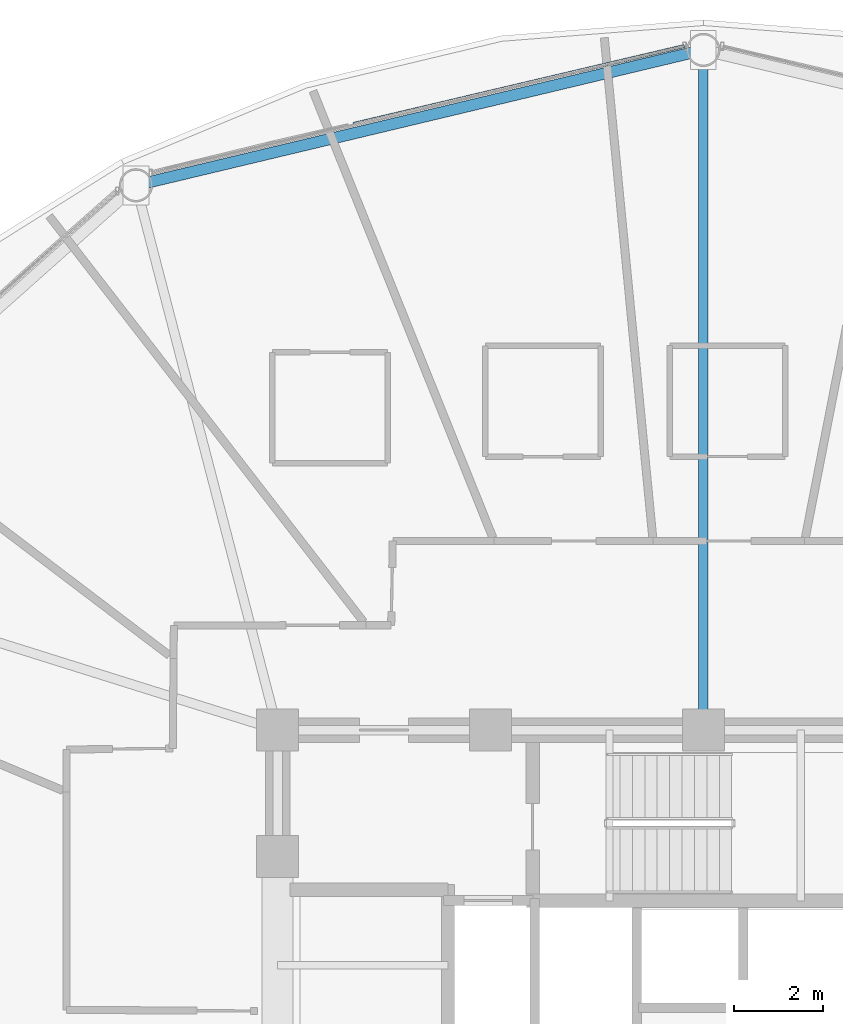
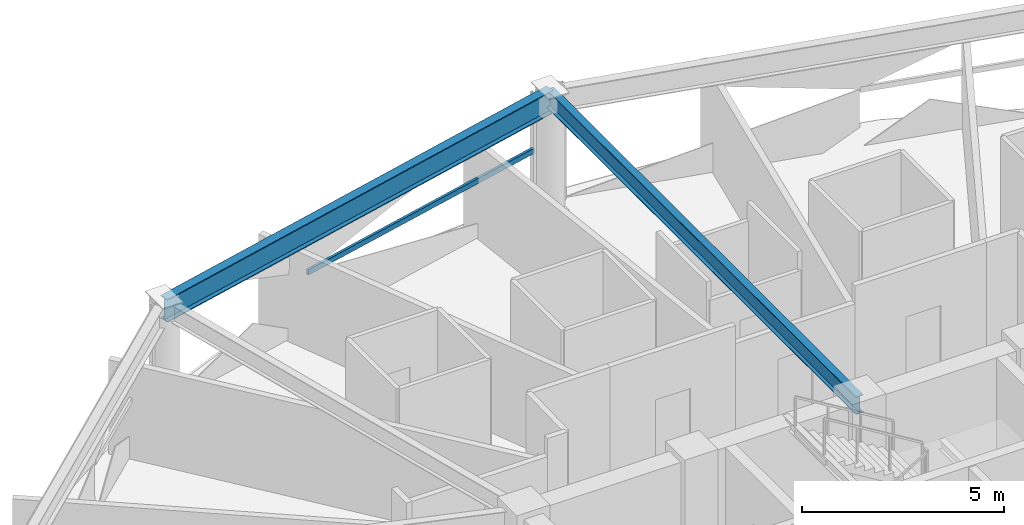
# One storey, part 17 of 32: 2 beams, 1 member, 1 element without a shape of its own.
"""IFC4 building model written with IfcOpenShell, lengths in metres."""

from ifc_helpers import new_model, si_unit, direction, frame, origin, origin_2d, place, context, subcontext, project, spatial, hollow_rectangle, i_section, extrude, material, layer, layer_set, material_profile, profile_set, type_object, element, aggregate, save


model = new_model("IFC4")

# Units and contexts
model_context = context("Model", 3, precision=1e-05, world=origin(), true_north=direction((0.0, 1.0)))
body_context = subcontext(model_context, "Body", "Model", "MODEL_VIEW")
ifc_project = project(units=[si_unit("LENGTHUNIT", "METRE"), si_unit("AREAUNIT", "SQUARE_METRE"), si_unit("VOLUMEUNIT", "CUBIC_METRE"), si_unit("PLANEANGLEUNIT", "RADIAN"), si_unit("MASSUNIT", "GRAM", prefix="KILO")], contexts=[model_context])

# Site, building, storey
site_placement = place(None, origin())
site = spatial("IfcSite", under=ifc_project, at=site_placement, CompositionType="ELEMENT")
building_placement = place(site_placement, origin())
building = spatial("IfcBuilding", under=site, at=building_placement, Name="Vantalir Tower", CompositionType="ELEMENT")
storey_placement = place(building_placement, frame((0.0, 0.0, 100.949951171875)))
storey = spatial("IfcBuildingStorey", under=building, at=storey_placement, Name="L24", CompositionType="ELEMENT", Elevation=100.949951171875)

# Beams
ifc_material_1 = material(Name="Steel S355", Category="steel")
ifc_material_profile_1 = material_profile(ifc_material_1, i_section(OverallWidth=0.2109375, OverallDepth=0.5390625, WebThickness=0.01171875, FlangeThickness=0.018798828125, at=origin_2d()), Name="Steel S355")
ifc_profile_set_1 = profile_set([ifc_material_profile_1], Name="Steel S355")
beam_type_1 = type_object("IfcBeamType", Name="BM-RB-533x210", PredefinedType="BEAM", material=ifc_profile_set_1)
beam_1_placement = place(storey_placement, frame((31.5, 47.7880859375, 3.300048828125), z_axis=(0.0, -1.0, 0.0), x_axis=(1.0, 0.0, 0.0)))
element("IfcBeam", 1, at=beam_1_placement, inside=storey, type_object=beam_type_1, Name="L24 Radial Floor Beam 04", PredefinedType="BEAM", context=body_context, shape_type="SweptSolid", body=[
    extrude(i_section(OverallWidth=0.2109375, OverallDepth=0.5390625, WebThickness=0.01171875, FlangeThickness=0.018798828125, at=origin_2d()), origin(), (0.0, 0.0, 1.0), 15.338134765625),
])
ifc_material_2 = material(Name="Steel S460", Category="steel")
ifc_material_profile_2 = material_profile(ifc_material_2, i_section(OverallWidth=0.256103515625, OverallDepth=0.693115234375, WebThickness=0.014404296875, FlangeThickness=0.023681640625, at=origin_2d()), Name="Steel S460")
ifc_profile_set_2 = profile_set([ifc_material_profile_2], Name="Steel S460")
beam_type_2 = type_object("IfcBeamType", Name="BM-RG-686x254", PredefinedType="USERDEFINED", material=ifc_profile_set_2)
beam_2_placement = place(storey_placement, frame((31.5, 47.7880859375, 3.22314453125), z_axis=(-0.972689585219, -0.232109824883, 0.0), x_axis=(0.232109824883, -0.972689585219, 0.0)))
element("IfcBeam", 2, at=beam_2_placement, inside=storey, type_object=beam_type_2, Name="L24 Circumferential Ring Girder 04", ObjectType="GIRDER", PredefinedType="USERDEFINED", context=body_context, shape_type="SweptSolid", body=[
    extrude(i_section(OverallWidth=0.256103515625, OverallDepth=0.693115234375, WebThickness=0.014404296875, FlangeThickness=0.023681640625, at=origin_2d()), origin(), (0.0, 0.0, 1.0), 13.153076171875),
])

# Curtain wall, member
ifc_material_3 = material(Name="Champagne-silver PVDF aluminium and double-silver Low-E glass", Category="aluminium")
ifc_layer = layer(ifc_material_3, 0.199951171875)
ifc_layer_set = layer_set([ifc_layer], Name="Champagne-silver PVDF aluminium and double-silver Low-E glass")
curtain_wall_type = type_object("IfcCurtainWallType", Name="CW-DIAMOND-Z2", PredefinedType="USERDEFINED", material=ifc_layer_set)
curtain_wall_placement = place(storey_placement, origin())
curtain_wall = element("IfcCurtainWall", 3, at=curtain_wall_placement, inside=storey, type_object=curtain_wall_type, Name="L24 Quilted Pyramid-Diamond Curtain Wall S04", ObjectType="UNITISED CURTAIN WALL", PredefinedType="USERDEFINED")
ifc_material_4 = material(Name="Champagne-silver PVDF aluminium 6063-T6", Category="aluminium")
ifc_material_profile_3 = material_profile(ifc_material_4, hollow_rectangle(XDim=0.074951171875, YDim=0.159912109375, WallThickness=0.00390625, at=origin_2d()), Name="Champagne-silver PVDF aluminium 6063-T6")
ifc_profile_set_3 = profile_set([ifc_material_profile_3], Name="Champagne-silver PVDF aluminium 6063-T6")
member_type = type_object("IfcMemberType", Name="CWT-160x75", PredefinedType="USERDEFINED", material=ifc_profile_set_3)
member_placement = place(storey_placement, frame((31.072021484375, 47.8759765625, 1.78515625), z_axis=(-0.973369996318, -0.229239722272, 0.0), x_axis=(0.229239722272, -0.973369996318, 0.0)))
member = element("IfcMember", 4, at=member_placement, type_object=member_type, Name="CW-L24-S04 Pyramid Fold Ridge Transom", ObjectType="TRANSOM", PredefinedType="USERDEFINED", context=body_context, shape_type="SweptSolid", body=[
    extrude(hollow_rectangle(XDim=0.074951171875, YDim=0.159912109375, WallThickness=0.00390625, at=origin_2d()), origin(), (0.0, 0.0, 1.0), 7.67333984375),
])
aggregate(curtain_wall, [member])

save(model, "model.ifc")
